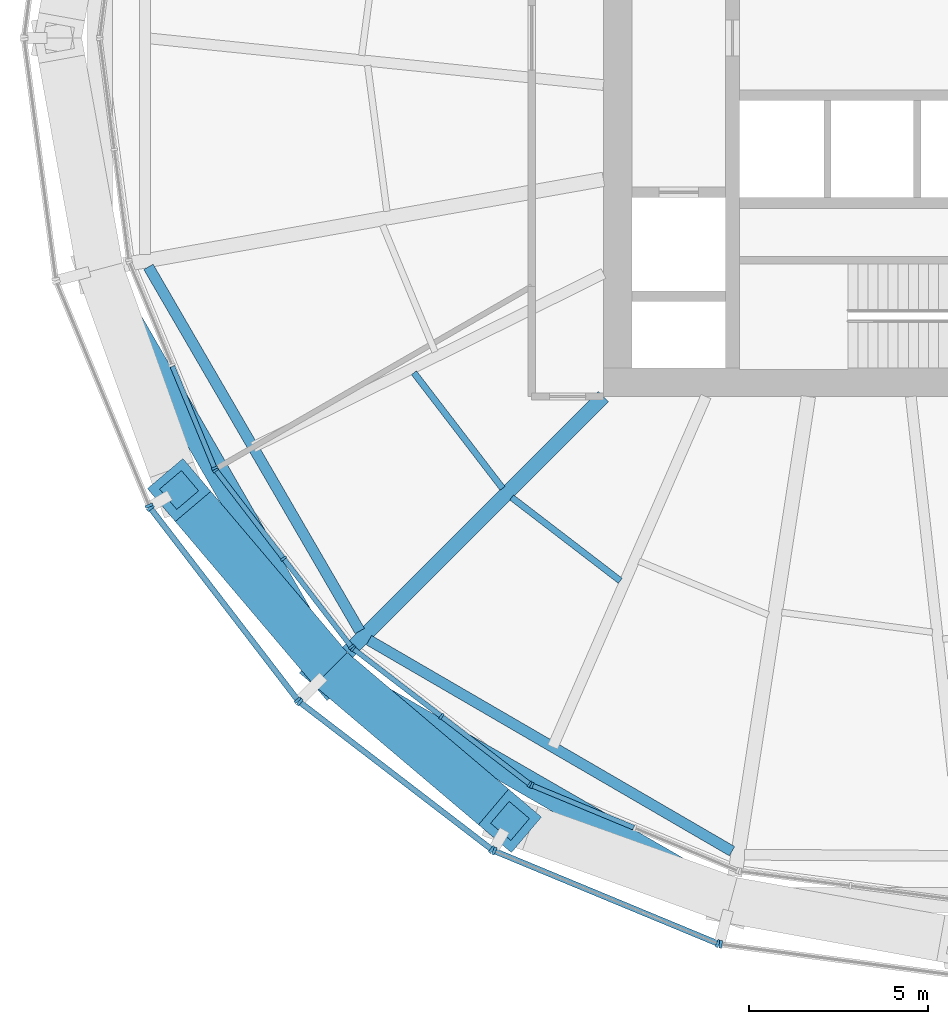
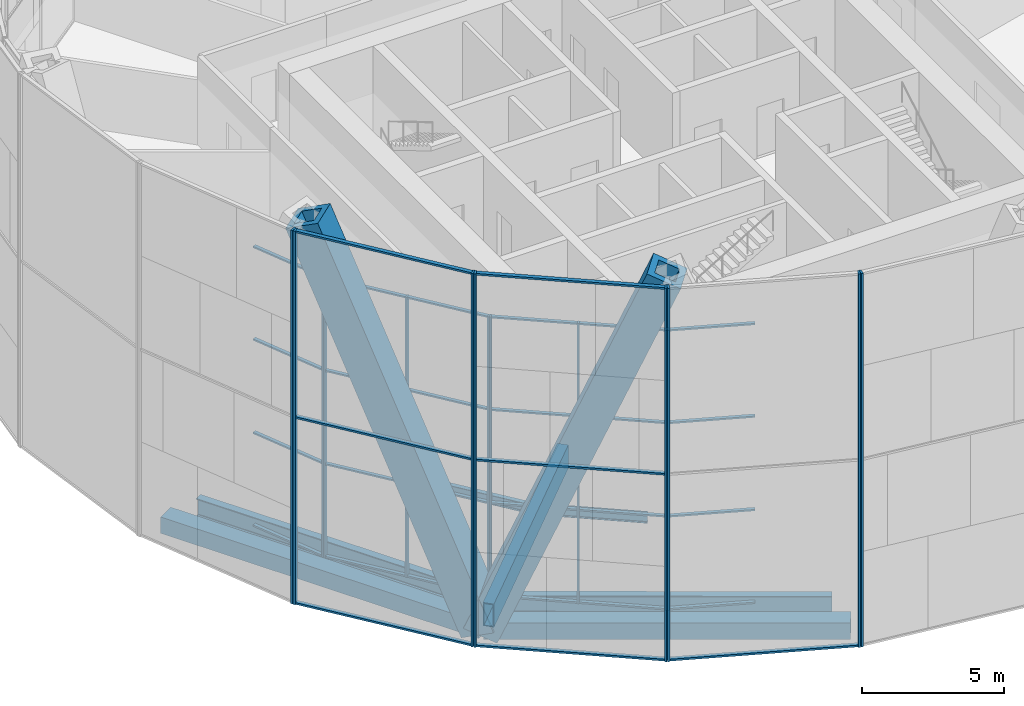
# One storey, part 1 of 26: 49 members, 7 beams, 9 elements without a shape of their own.
"""IFC4 building model written with IfcOpenShell, lengths in metres."""

from ifc_helpers import new_model, si_unit, direction, frame, origin, origin_2d, place, context, subcontext, project, spatial, rectangle, hollow_rectangle, i_section, extrude, material, material_profile, profile_set, type_object, element, aggregate, save


model = new_model("IFC4")

# Units and contexts
model_context = context("Model", 3, precision=1e-05, world=origin(), true_north=direction((0.0, 1.0)))
body_context = subcontext(model_context, "Body", "Model", "MODEL_VIEW")
ifc_project = project(units=[si_unit("LENGTHUNIT", "METRE"), si_unit("AREAUNIT", "SQUARE_METRE"), si_unit("VOLUMEUNIT", "CUBIC_METRE"), si_unit("PLANEANGLEUNIT", "RADIAN"), si_unit("MASSUNIT", "GRAM", prefix="KILO")], contexts=[model_context])

# Site, building, storey
site_placement = place(None, origin())
site = spatial("IfcSite", under=ifc_project, at=site_placement, CompositionType="ELEMENT")
building_placement = place(site_placement, origin())
building = spatial("IfcBuilding", under=site, at=building_placement, Name="Golbaran Civic Tower", CompositionType="ELEMENT")
storey_placement = place(building_placement, frame((0.0, 0.0, 69.0)))
storey = spatial("IfcBuildingStorey", under=building, at=storey_placement, Name="L16", CompositionType="ELEMENT", Elevation=69.0)

# Members
ifc_material_1 = material(Name="Steel S355", Category="steel")
ifc_material_profile_1 = material_profile(ifc_material_1, hollow_rectangle(XDim=1.300048828125, YDim=1.300048828125, WallThickness=0.25, at=origin_2d()), Name="BOX 1300x1300x250")
ifc_profile_set_1 = profile_set([ifc_material_profile_1], Name="Steel S355")
member_type_1 = type_object("IfcMemberType", Name="DIAGRID DIAGONAL BOX 1300x1300x250", PredefinedType="BRACE", material=ifc_profile_set_1)
for number, where, z_axis, x_axis, name in (
    (1, (-17.6005859375, -17.6005859375, -0.7099609375), (0.288939520875, -0.244835995768, 0.925510285439), (0.646478657143, 0.762932071589, 0.0), "Diagonal D03-07R L16-L20"),
    (2, (-17.6005859375, -17.6005859375, -0.7099609375), (-0.244835995768, 0.288939520875, 0.925510285439), (-0.762932071589, -0.646478657143, 0.0), "Diagonal D03-07L L16-L20"),
):
    element("IfcMember", number, at=place(storey_placement, frame(where, z_axis=z_axis, x_axis=x_axis)), inside=storey, type_object=member_type_1, Name=name, PredefinedType="BRACE", context=body_context, shape_type="SweptSolid", body=[
        extrude(hollow_rectangle(XDim=1.300048828125, YDim=1.300048828125, WallThickness=0.25, at=origin_2d()), origin(), (0.0, 0.0, 1.0), 17.287841796875),
    ])

# Beams
ifc_material_profile_2 = material_profile(ifc_material_1, hollow_rectangle(XDim=0.699951171875, YDim=0.699951171875, WallThickness=0.080078125, at=origin_2d()), Name="BOX 700x700x80")
ifc_profile_set_2 = profile_set([ifc_material_profile_2], Name="Steel S355")
beam_type_1 = type_object("IfcBeamType", Name="DIAGRID RING TIE BOX 700x700x80", PredefinedType="BEAM", material=ifc_profile_set_2)
for number, where, z_axis, x_axis, name in (
    (3, (-24.04296875, -6.4423828125, -0.7099609375), (0.500011131643, -0.866018976832, 0.0), (0.866018976832, 0.500011131643, 0.0), "Ring tie 195.00 L16"),
    (4, (-17.6005859375, -17.6005859375, -0.7099609375), (0.866018976832, -0.500011131643, 0.0), (0.500011131643, 0.866018976832, 0.0), "Ring tie 225.00 L16"),
):
    element("IfcBeam", number, at=place(storey_placement, frame(where, z_axis=z_axis, x_axis=x_axis)), inside=storey, type_object=beam_type_1, Name=name, PredefinedType="BEAM", context=body_context, shape_type="SweptSolid", body=[
        extrude(hollow_rectangle(XDim=0.699951171875, YDim=0.699951171875, WallThickness=0.080078125, at=origin_2d()), origin(), (0.0, 0.0, 1.0), 12.884521484375),
    ])
ifc_material_profile_3 = material_profile(ifc_material_1, i_section(OverallWidth=0.300048828125, OverallDepth=0.800048828125, WebThickness=0.017578125, FlangeThickness=0.032958984375, FilletRadius=0.030029296875, at=origin_2d()), Name="HEB 800")
ifc_profile_set_3 = profile_set([ifc_material_profile_3], Name="Steel S355")
beam_type_2 = type_object("IfcBeamType", Name="EDGE BEAM HEB 800", PredefinedType="BEAM", material=ifc_profile_set_3)
beam_1_placement = place(storey_placement, frame((-22.687744140625, -6.3837890625, -0.60009765625), z_axis=(0.50199656433, -0.864869614104, 0.0), x_axis=(0.864869614104, 0.50199656433, 0.0)))
element("IfcBeam", 5, at=beam_1_placement, inside=storey, type_object=beam_type_2, Name="Edge beam 195.00 L16", PredefinedType="BEAM", context=body_context, shape_type="SweptSolid", body=[
    extrude(i_section(OverallWidth=0.300048828125, OverallDepth=0.800048828125, WebThickness=0.017578125, FlangeThickness=0.032958984375, FilletRadius=0.030029296875, at=origin_2d()), origin(), (0.0, 0.0, 1.0), 11.74169921875),
])
beam_2_placement = place(storey_placement, frame((-16.538818359375, -16.79345703125, -0.60009765625), z_axis=(0.864537100855, -0.502569001476, 0.0), x_axis=(0.502569001476, 0.864537100855, 0.0)))
element("IfcBeam", 6, at=beam_2_placement, inside=storey, type_object=beam_type_2, Name="Edge beam 225.00 L16", PredefinedType="BEAM", context=body_context, shape_type="SweptSolid", body=[
    extrude(i_section(OverallWidth=0.300048828125, OverallDepth=0.800048828125, WebThickness=0.017578125, FlangeThickness=0.032958984375, FilletRadius=0.030029296875, at=origin_2d()), origin(), (0.0, 0.0, 1.0), 11.71044921875),
])
ifc_material_profile_4 = material_profile(ifc_material_1, i_section(OverallWidth=0.179931640625, OverallDepth=0.39990234375, WebThickness=0.008544921875, FlangeThickness=0.013427734375, FilletRadius=0.02099609375, at=origin_2d()), Name="IPE 400")
ifc_profile_set_4 = profile_set([ifc_material_profile_4], Name="Steel S355")
beam_type_3 = type_object("IfcBeamType", Name="FLOOR INFILL BEAM IPE 400", PredefinedType="BEAM", material=ifc_profile_set_4)
beam_3_placement = place(storey_placement, frame((-15.28564453125, -9.33642578125, -0.39990234375), z_axis=(0.608754558613, -0.793358612084, 0.0), x_axis=(0.793358612084, 0.608754558613, 0.0)))
element("IfcBeam", 7, at=beam_3_placement, inside=storey, type_object=beam_type_3, Name="Infill beam 217.50 L16", PredefinedType="BEAM", context=body_context, shape_type="SweptSolid", body=[
    extrude(i_section(OverallWidth=0.179931640625, OverallDepth=0.39990234375, WebThickness=0.008544921875, FlangeThickness=0.013427734375, FilletRadius=0.02099609375, at=origin_2d()), origin(), (0.0, 0.0, 1.0), 4.0615234375),
])
beam_4_placement = place(storey_placement, frame((-12.559326171875, -12.81396484375, -0.39990234375), z_axis=(0.793350991378, -0.608764490159, 0.0), x_axis=(0.608764490159, 0.793350991378, 0.0)))
element("IfcBeam", 8, at=beam_4_placement, inside=storey, type_object=beam_type_3, Name="Infill beam 232.50 L16", PredefinedType="BEAM", context=body_context, shape_type="SweptSolid", body=[
    extrude(i_section(OverallWidth=0.179931640625, OverallDepth=0.39990234375, WebThickness=0.008544921875, FlangeThickness=0.013427734375, FilletRadius=0.02099609375, at=origin_2d()), origin(), (0.0, 0.0, 1.0), 3.817138671875),
])

# Curtain wall, member
ifc_material_2 = material(Name="Aluminium and glass", Category="aluminium")
curtain_wall_type_1 = type_object("IfcCurtainWallType", Name="INNER SKIN CURTAIN WALL", PredefinedType="NOTDEFINED", material=ifc_material_2)
curtain_wall_1_placement = place(storey_placement, origin())
curtain_wall_1 = element("IfcCurtainWall", 9, at=curtain_wall_1_placement, inside=storey, type_object=curtain_wall_type_1, Name="Inner skin L16 facet 14 CW1", ObjectType="INNER SKIN", PredefinedType="USERDEFINED")
ifc_material_3 = material(Name="Aluminium", Category="aluminium")
ifc_material_profile_5 = material_profile(ifc_material_3, rectangle(XDim=0.179931640625, YDim=0.06494140625, at=origin_2d()), Name="INNER SKIN CURTAIN WALL MULLION")
ifc_profile_set_5 = profile_set([ifc_material_profile_5], Name="Aluminium")
member_type_2 = type_object("IfcMemberType", Name="INNER SKIN CURTAIN WALL MULLION", PredefinedType="MULLION", material=ifc_profile_set_5)
member_1_placement = place(storey_placement, frame((-20.843017578125, -11.99658203125, 0.0), z_axis=(0.0, 0.0, 1.0), x_axis=(0.923879532478, 0.382683432446, 0.0)))
member_1 = element("IfcMember", 10, at=member_1_placement, type_object=member_type_2, Name="CW1 mullion 3", PredefinedType="MULLION", context=body_context, shape_type="SweptSolid", body=[
    extrude(rectangle(XDim=0.179931640625, YDim=0.06494140625, at=origin_2d()), origin(), (0.0, 0.0, 1.0), 12.0),
])

# Curtain wall, members
curtain_wall_2_placement = place(storey_placement, origin())
curtain_wall_2 = element("IfcCurtainWall", 11, at=curtain_wall_2_placement, inside=storey, type_object=curtain_wall_type_1, Name="Inner skin L16 facet 15 CW1", ObjectType="INNER SKIN", PredefinedType="USERDEFINED")
member_2_placement = place(storey_placement, frame((-20.810791015625, -12.05224609375, 0.0), z_axis=(0.0, 0.0, 1.0), x_axis=(0.793353340323, 0.608761428967, 0.0)))
member_2 = element("IfcMember", 12, at=member_2_placement, type_object=member_type_2, Name="CW1 mullion 1", PredefinedType="MULLION", context=body_context, shape_type="SweptSolid", body=[
    extrude(rectangle(XDim=0.179931640625, YDim=0.06494140625, at=origin_2d()), origin(), (0.0, 0.0, 1.0), 12.0),
])
member_3_placement = place(storey_placement, frame((-18.919189453125, -14.517333984375, 0.0), z_axis=(0.0, 0.0, 1.0), x_axis=(0.793353340323, 0.608761428967, 0.0)))
member_3 = element("IfcMember", 13, at=member_3_placement, type_object=member_type_2, Name="CW1 mullion 2", PredefinedType="MULLION", context=body_context, shape_type="SweptSolid", body=[
    extrude(rectangle(XDim=0.179931640625, YDim=0.06494140625, at=origin_2d()), origin(), (0.0, 0.0, 1.0), 12.0),
])
member_4_placement = place(storey_placement, frame((-17.02783203125, -16.982177734375, 0.0), z_axis=(0.0, 0.0, 1.0), x_axis=(0.793353340323, 0.608761428967, 0.0)))
member_4 = element("IfcMember", 14, at=member_4_placement, type_object=member_type_2, Name="CW1 mullion 3", PredefinedType="MULLION", context=body_context, shape_type="SweptSolid", body=[
    extrude(rectangle(XDim=0.179931640625, YDim=0.06494140625, at=origin_2d()), origin(), (0.0, 0.0, 1.0), 12.0),
])

curtain_wall_3_placement = place(storey_placement, origin())
curtain_wall_3 = element("IfcCurtainWall", 15, at=curtain_wall_3_placement, inside=storey, type_object=curtain_wall_type_1, Name="Inner skin L16 facet 16 CW1", ObjectType="INNER SKIN", PredefinedType="USERDEFINED")
member_5_placement = place(storey_placement, frame((-16.982177734375, -17.02783203125, 0.0), z_axis=(0.0, 0.0, 1.0), x_axis=(0.608761428967, 0.793353340323, 0.0)))
member_5 = element("IfcMember", 16, at=member_5_placement, type_object=member_type_2, Name="CW1 mullion 1", PredefinedType="MULLION", context=body_context, shape_type="SweptSolid", body=[
    extrude(rectangle(XDim=0.179931640625, YDim=0.06494140625, at=origin_2d()), origin(), (0.0, 0.0, 1.0), 12.0),
])
member_6_placement = place(storey_placement, frame((-14.517333984375, -18.919189453125, 0.0), z_axis=(0.0, 0.0, 1.0), x_axis=(0.608761428967, 0.793353340323, 0.0)))
member_6 = element("IfcMember", 17, at=member_6_placement, type_object=member_type_2, Name="CW1 mullion 2", PredefinedType="MULLION", context=body_context, shape_type="SweptSolid", body=[
    extrude(rectangle(XDim=0.179931640625, YDim=0.06494140625, at=origin_2d()), origin(), (0.0, 0.0, 1.0), 12.0),
])
member_7_placement = place(storey_placement, frame((-12.05224609375, -20.810791015625, 0.0), z_axis=(0.0, 0.0, 1.0), x_axis=(0.608761428967, 0.793353340323, 0.0)))
member_7 = element("IfcMember", 18, at=member_7_placement, type_object=member_type_2, Name="CW1 mullion 3", PredefinedType="MULLION", context=body_context, shape_type="SweptSolid", body=[
    extrude(rectangle(XDim=0.179931640625, YDim=0.06494140625, at=origin_2d()), origin(), (0.0, 0.0, 1.0), 12.0),
])

# Curtain wall, member
curtain_wall_4_placement = place(storey_placement, origin())
curtain_wall_4 = element("IfcCurtainWall", 19, at=curtain_wall_4_placement, inside=storey, type_object=curtain_wall_type_1, Name="Inner skin L16 facet 17 CW1", ObjectType="INNER SKIN", PredefinedType="USERDEFINED")
member_8_placement = place(storey_placement, frame((-11.99658203125, -20.843017578125, 0.0), z_axis=(0.0, 0.0, 1.0), x_axis=(0.382683432446, 0.923879532478, 0.0)))
member_8 = element("IfcMember", 20, at=member_8_placement, type_object=member_type_2, Name="CW1 mullion 1", PredefinedType="MULLION", context=body_context, shape_type="SweptSolid", body=[
    extrude(rectangle(XDim=0.179931640625, YDim=0.06494140625, at=origin_2d()), origin(), (0.0, 0.0, 1.0), 12.0),
])

# Member
ifc_material_profile_6 = material_profile(ifc_material_3, rectangle(XDim=0.139892578125, YDim=0.06494140625, at=origin_2d()), Name="INNER SKIN CURTAIN WALL TRANSOM")
ifc_profile_set_6 = profile_set([ifc_material_profile_6], Name="Aluminium")
member_type_3 = type_object("IfcMemberType", Name="INNER SKIN CURTAIN WALL TRANSOM", PredefinedType="USERDEFINED", material=ifc_profile_set_6)
member_9_placement = place(storey_placement, frame((-22.01953125, -9.156005859375, 0.032470703125), z_axis=(0.382654214168, -0.923891634543, 0.0), x_axis=(0.923891634543, 0.382654214168, 0.0)))
member_9 = element("IfcMember", 21, at=member_9_placement, type_object=member_type_3, Name="CW1 transom 2.1", ObjectType="TRANSOM", PredefinedType="USERDEFINED", context=body_context, shape_type="SweptSolid", body=[
    extrude(rectangle(XDim=0.139892578125, YDim=0.06494140625, at=origin_2d()), origin(), (0.0, 0.0, 1.0), 3.0419921875),
])

member_10_placement = place(storey_placement, frame((-22.01953125, -9.156005859375, 4.0), z_axis=(0.382654214168, -0.923891634543, 0.0), x_axis=(0.923891634543, 0.382654214168, 0.0)))
member_10 = element("IfcMember", 22, at=member_10_placement, type_object=member_type_3, Name="CW1 transom 2.2", ObjectType="TRANSOM", PredefinedType="USERDEFINED", context=body_context, shape_type="SweptSolid", body=[
    extrude(rectangle(XDim=0.139892578125, YDim=0.06494140625, at=origin_2d()), origin(), (0.0, 0.0, 1.0), 3.0419921875),
])

member_11_placement = place(storey_placement, frame((-22.01953125, -9.156005859375, 8.0), z_axis=(0.382654214168, -0.923891634543, 0.0), x_axis=(0.923891634543, 0.382654214168, 0.0)))
member_11 = element("IfcMember", 23, at=member_11_placement, type_object=member_type_3, Name="CW1 transom 2.3", ObjectType="TRANSOM", PredefinedType="USERDEFINED", context=body_context, shape_type="SweptSolid", body=[
    extrude(rectangle(XDim=0.139892578125, YDim=0.06494140625, at=origin_2d()), origin(), (0.0, 0.0, 1.0), 3.0419921875),
])

member_12_placement = place(storey_placement, frame((-22.01953125, -9.156005859375, 11.967529296875), z_axis=(0.382654214168, -0.923891634543, 0.0), x_axis=(0.923891634543, 0.382654214168, 0.0)))
member_12 = element("IfcMember", 24, at=member_12_placement, type_object=member_type_3, Name="CW1 transom 2.4", ObjectType="TRANSOM", PredefinedType="USERDEFINED", context=body_context, shape_type="SweptSolid", body=[
    extrude(rectangle(XDim=0.139892578125, YDim=0.06494140625, at=origin_2d()), origin(), (0.0, 0.0, 1.0), 3.0419921875),
])

aggregate(curtain_wall_1, [member_1, member_9, member_10, member_11, member_12])

member_13_placement = place(storey_placement, frame((-20.791015625, -12.078125, 0.032470703125), z_axis=(0.608810562982, -0.79331563605, 0.0), x_axis=(0.79331563605, 0.608810562982, 0.0)))
member_13 = element("IfcMember", 25, at=member_13_placement, type_object=member_type_3, Name="CW1 transom 1.1", ObjectType="TRANSOM", PredefinedType="USERDEFINED", context=body_context, shape_type="SweptSolid", body=[
    extrude(rectangle(XDim=0.139892578125, YDim=0.06494140625, at=origin_2d()), origin(), (0.0, 0.0, 1.0), 3.0419921875),
])

member_14_placement = place(storey_placement, frame((-20.791015625, -12.078125, 4.0), z_axis=(0.608810562982, -0.79331563605, 0.0), x_axis=(0.79331563605, 0.608810562982, 0.0)))
member_14 = element("IfcMember", 26, at=member_14_placement, type_object=member_type_3, Name="CW1 transom 1.2", ObjectType="TRANSOM", PredefinedType="USERDEFINED", context=body_context, shape_type="SweptSolid", body=[
    extrude(rectangle(XDim=0.139892578125, YDim=0.06494140625, at=origin_2d()), origin(), (0.0, 0.0, 1.0), 3.0419921875),
])

member_15_placement = place(storey_placement, frame((-20.791015625, -12.078125, 8.0), z_axis=(0.608810562982, -0.79331563605, 0.0), x_axis=(0.79331563605, 0.608810562982, 0.0)))
member_15 = element("IfcMember", 27, at=member_15_placement, type_object=member_type_3, Name="CW1 transom 1.3", ObjectType="TRANSOM", PredefinedType="USERDEFINED", context=body_context, shape_type="SweptSolid", body=[
    extrude(rectangle(XDim=0.139892578125, YDim=0.06494140625, at=origin_2d()), origin(), (0.0, 0.0, 1.0), 3.0419921875),
])

member_16_placement = place(storey_placement, frame((-20.791015625, -12.078125, 11.967529296875), z_axis=(0.608810562982, -0.79331563605, 0.0), x_axis=(0.79331563605, 0.608810562982, 0.0)))
member_16 = element("IfcMember", 28, at=member_16_placement, type_object=member_type_3, Name="CW1 transom 1.4", ObjectType="TRANSOM", PredefinedType="USERDEFINED", context=body_context, shape_type="SweptSolid", body=[
    extrude(rectangle(XDim=0.139892578125, YDim=0.06494140625, at=origin_2d()), origin(), (0.0, 0.0, 1.0), 3.0419921875),
])

member_17_placement = place(storey_placement, frame((-18.8994140625, -14.54296875, 0.032470703125), z_axis=(0.608721291082, -0.793384137592, 0.0), x_axis=(0.793384137592, 0.608721291082, 0.0)))
member_17 = element("IfcMember", 29, at=member_17_placement, type_object=member_type_3, Name="CW1 transom 2.1", ObjectType="TRANSOM", PredefinedType="USERDEFINED", context=body_context, shape_type="SweptSolid", body=[
    extrude(rectangle(XDim=0.139892578125, YDim=0.06494140625, at=origin_2d()), origin(), (0.0, 0.0, 1.0), 3.042236328125),
])

member_18_placement = place(storey_placement, frame((-18.8994140625, -14.54296875, 4.0), z_axis=(0.608721291082, -0.793384137592, 0.0), x_axis=(0.793384137592, 0.608721291082, 0.0)))
member_18 = element("IfcMember", 30, at=member_18_placement, type_object=member_type_3, Name="CW1 transom 2.2", ObjectType="TRANSOM", PredefinedType="USERDEFINED", context=body_context, shape_type="SweptSolid", body=[
    extrude(rectangle(XDim=0.139892578125, YDim=0.06494140625, at=origin_2d()), origin(), (0.0, 0.0, 1.0), 3.042236328125),
])

member_19_placement = place(storey_placement, frame((-18.8994140625, -14.54296875, 8.0), z_axis=(0.608721291082, -0.793384137592, 0.0), x_axis=(0.793384137592, 0.608721291082, 0.0)))
member_19 = element("IfcMember", 31, at=member_19_placement, type_object=member_type_3, Name="CW1 transom 2.3", ObjectType="TRANSOM", PredefinedType="USERDEFINED", context=body_context, shape_type="SweptSolid", body=[
    extrude(rectangle(XDim=0.139892578125, YDim=0.06494140625, at=origin_2d()), origin(), (0.0, 0.0, 1.0), 3.042236328125),
])

member_20_placement = place(storey_placement, frame((-18.8994140625, -14.54296875, 11.967529296875), z_axis=(0.608721291082, -0.793384137592, 0.0), x_axis=(0.793384137592, 0.608721291082, 0.0)))
member_20 = element("IfcMember", 32, at=member_20_placement, type_object=member_type_3, Name="CW1 transom 2.4", ObjectType="TRANSOM", PredefinedType="USERDEFINED", context=body_context, shape_type="SweptSolid", body=[
    extrude(rectangle(XDim=0.139892578125, YDim=0.06494140625, at=origin_2d()), origin(), (0.0, 0.0, 1.0), 3.042236328125),
])

aggregate(curtain_wall_2, [member_2, member_3, member_4, member_13, member_14, member_15, member_16, member_17, member_18, member_19, member_20])

member_21_placement = place(storey_placement, frame((-16.95654296875, -17.047607421875, 0.032470703125), z_axis=(0.793384137592, -0.608721291082, 0.0), x_axis=(0.608721291082, 0.793384137592, 0.0)))
member_21 = element("IfcMember", 33, at=member_21_placement, type_object=member_type_3, Name="CW1 transom 1.1", ObjectType="TRANSOM", PredefinedType="USERDEFINED", context=body_context, shape_type="SweptSolid", body=[
    extrude(rectangle(XDim=0.139892578125, YDim=0.06494140625, at=origin_2d()), origin(), (0.0, 0.0, 1.0), 3.042236328125),
])

member_22_placement = place(storey_placement, frame((-16.95654296875, -17.047607421875, 4.0), z_axis=(0.793384137592, -0.608721291082, 0.0), x_axis=(0.608721291082, 0.793384137592, 0.0)))
member_22 = element("IfcMember", 34, at=member_22_placement, type_object=member_type_3, Name="CW1 transom 1.2", ObjectType="TRANSOM", PredefinedType="USERDEFINED", context=body_context, shape_type="SweptSolid", body=[
    extrude(rectangle(XDim=0.139892578125, YDim=0.06494140625, at=origin_2d()), origin(), (0.0, 0.0, 1.0), 3.042236328125),
])

member_23_placement = place(storey_placement, frame((-16.95654296875, -17.047607421875, 8.0), z_axis=(0.793384137592, -0.608721291082, 0.0), x_axis=(0.608721291082, 0.793384137592, 0.0)))
member_23 = element("IfcMember", 35, at=member_23_placement, type_object=member_type_3, Name="CW1 transom 1.3", ObjectType="TRANSOM", PredefinedType="USERDEFINED", context=body_context, shape_type="SweptSolid", body=[
    extrude(rectangle(XDim=0.139892578125, YDim=0.06494140625, at=origin_2d()), origin(), (0.0, 0.0, 1.0), 3.042236328125),
])

member_24_placement = place(storey_placement, frame((-16.95654296875, -17.047607421875, 11.967529296875), z_axis=(0.793384137592, -0.608721291082, 0.0), x_axis=(0.608721291082, 0.793384137592, 0.0)))
member_24 = element("IfcMember", 36, at=member_24_placement, type_object=member_type_3, Name="CW1 transom 1.4", ObjectType="TRANSOM", PredefinedType="USERDEFINED", context=body_context, shape_type="SweptSolid", body=[
    extrude(rectangle(XDim=0.139892578125, YDim=0.06494140625, at=origin_2d()), origin(), (0.0, 0.0, 1.0), 3.042236328125),
])

member_25_placement = place(storey_placement, frame((-14.491455078125, -18.93896484375, 0.032470703125), z_axis=(0.79331563605, -0.608810562982, 0.0), x_axis=(0.608810562982, 0.79331563605, 0.0)))
member_25 = element("IfcMember", 37, at=member_25_placement, type_object=member_type_3, Name="CW1 transom 2.1", ObjectType="TRANSOM", PredefinedType="USERDEFINED", context=body_context, shape_type="SweptSolid", body=[
    extrude(rectangle(XDim=0.139892578125, YDim=0.06494140625, at=origin_2d()), origin(), (0.0, 0.0, 1.0), 3.0419921875),
])

member_26_placement = place(storey_placement, frame((-14.491455078125, -18.93896484375, 4.0), z_axis=(0.79331563605, -0.608810562982, 0.0), x_axis=(0.608810562982, 0.79331563605, 0.0)))
member_26 = element("IfcMember", 38, at=member_26_placement, type_object=member_type_3, Name="CW1 transom 2.2", ObjectType="TRANSOM", PredefinedType="USERDEFINED", context=body_context, shape_type="SweptSolid", body=[
    extrude(rectangle(XDim=0.139892578125, YDim=0.06494140625, at=origin_2d()), origin(), (0.0, 0.0, 1.0), 3.0419921875),
])

member_27_placement = place(storey_placement, frame((-14.491455078125, -18.93896484375, 8.0), z_axis=(0.79331563605, -0.608810562982, 0.0), x_axis=(0.608810562982, 0.79331563605, 0.0)))
member_27 = element("IfcMember", 39, at=member_27_placement, type_object=member_type_3, Name="CW1 transom 2.3", ObjectType="TRANSOM", PredefinedType="USERDEFINED", context=body_context, shape_type="SweptSolid", body=[
    extrude(rectangle(XDim=0.139892578125, YDim=0.06494140625, at=origin_2d()), origin(), (0.0, 0.0, 1.0), 3.0419921875),
])

member_28_placement = place(storey_placement, frame((-14.491455078125, -18.93896484375, 11.967529296875), z_axis=(0.79331563605, -0.608810562982, 0.0), x_axis=(0.608810562982, 0.79331563605, 0.0)))
member_28 = element("IfcMember", 40, at=member_28_placement, type_object=member_type_3, Name="CW1 transom 2.4", ObjectType="TRANSOM", PredefinedType="USERDEFINED", context=body_context, shape_type="SweptSolid", body=[
    extrude(rectangle(XDim=0.139892578125, YDim=0.06494140625, at=origin_2d()), origin(), (0.0, 0.0, 1.0), 3.0419921875),
])

aggregate(curtain_wall_3, [member_5, member_6, member_7, member_21, member_22, member_23, member_24, member_25, member_26, member_27, member_28])

member_29_placement = place(storey_placement, frame((-11.966552734375, -20.85546875, 0.032470703125), z_axis=(0.923891634543, -0.382654214168, 0.0), x_axis=(0.382654214168, 0.923891634543, 0.0)))
member_29 = element("IfcMember", 41, at=member_29_placement, type_object=member_type_3, Name="CW1 transom 1.1", ObjectType="TRANSOM", PredefinedType="USERDEFINED", context=body_context, shape_type="SweptSolid", body=[
    extrude(rectangle(XDim=0.139892578125, YDim=0.06494140625, at=origin_2d()), origin(), (0.0, 0.0, 1.0), 3.0419921875),
])

member_30_placement = place(storey_placement, frame((-11.966552734375, -20.85546875, 4.0), z_axis=(0.923891634543, -0.382654214168, 0.0), x_axis=(0.382654214168, 0.923891634543, 0.0)))
member_30 = element("IfcMember", 42, at=member_30_placement, type_object=member_type_3, Name="CW1 transom 1.2", ObjectType="TRANSOM", PredefinedType="USERDEFINED", context=body_context, shape_type="SweptSolid", body=[
    extrude(rectangle(XDim=0.139892578125, YDim=0.06494140625, at=origin_2d()), origin(), (0.0, 0.0, 1.0), 3.0419921875),
])

member_31_placement = place(storey_placement, frame((-11.966552734375, -20.85546875, 8.0), z_axis=(0.923891634543, -0.382654214168, 0.0), x_axis=(0.382654214168, 0.923891634543, 0.0)))
member_31 = element("IfcMember", 43, at=member_31_placement, type_object=member_type_3, Name="CW1 transom 1.3", ObjectType="TRANSOM", PredefinedType="USERDEFINED", context=body_context, shape_type="SweptSolid", body=[
    extrude(rectangle(XDim=0.139892578125, YDim=0.06494140625, at=origin_2d()), origin(), (0.0, 0.0, 1.0), 3.0419921875),
])

member_32_placement = place(storey_placement, frame((-11.966552734375, -20.85546875, 11.967529296875), z_axis=(0.923891634543, -0.382654214168, 0.0), x_axis=(0.382654214168, 0.923891634543, 0.0)))
member_32 = element("IfcMember", 44, at=member_32_placement, type_object=member_type_3, Name="CW1 transom 1.4", ObjectType="TRANSOM", PredefinedType="USERDEFINED", context=body_context, shape_type="SweptSolid", body=[
    extrude(rectangle(XDim=0.139892578125, YDim=0.06494140625, at=origin_2d()), origin(), (0.0, 0.0, 1.0), 3.0419921875),
])

aggregate(curtain_wall_4, [member_8, member_29, member_30, member_31, member_32])

# Curtain wall, member
curtain_wall_type_2 = type_object("IfcCurtainWallType", Name="OUTER SKIN TERRACOTTA SCREEN", PredefinedType="NOTDEFINED", material=ifc_material_2)
curtain_wall_5_placement = place(storey_placement, origin())
curtain_wall_5 = element("IfcCurtainWall", 45, at=curtain_wall_5_placement, inside=storey, type_object=curtain_wall_type_2, Name="Outer skin L16 facet 14 CW3", ObjectType="OUTER SKIN", PredefinedType="USERDEFINED")
ifc_material_profile_7 = material_profile(ifc_material_3, rectangle(XDim=0.219970703125, YDim=0.080078125, at=origin_2d()), Name="OUTER SKIN TERRACOTTA SCREEN MULLION")
ifc_profile_set_7 = profile_set([ifc_material_profile_7], Name="Aluminium")
member_type_4 = type_object("IfcMemberType", Name="OUTER SKIN TERRACOTTA SCREEN MULLION", PredefinedType="MULLION", material=ifc_profile_set_7)
member_33_placement = place(storey_placement, frame((-22.67138671875, -13.04345703125, -0.7099609375), z_axis=(0.0, 0.0, 1.0), x_axis=(0.923879532465, 0.382683432478, 0.0)))
member_33 = element("IfcMember", 46, at=member_33_placement, type_object=member_type_4, Name="CW3 mullion 2", PredefinedType="MULLION", context=body_context, shape_type="SweptSolid", body=[
    extrude(rectangle(XDim=0.219970703125, YDim=0.080078125, at=origin_2d()), origin(), (0.0, 0.0, 1.0), 16.0),
])
aggregate(curtain_wall_5, [member_33])

# Curtain wall, members
curtain_wall_6_placement = place(storey_placement, origin())
curtain_wall_6 = element("IfcCurtainWall", 47, at=curtain_wall_6_placement, inside=storey, type_object=curtain_wall_type_2, Name="Outer skin L16 facet 15 CW3", ObjectType="OUTER SKIN", PredefinedType="USERDEFINED")
member_34_placement = place(storey_placement, frame((-22.6318359375, -13.1123046875, -0.7099609375), z_axis=(0.0, 0.0, 1.0), x_axis=(0.793353340366, 0.608761428912, 0.0)))
member_34 = element("IfcMember", 48, at=member_34_placement, type_object=member_type_4, Name="CW3 mullion 1", PredefinedType="MULLION", context=body_context, shape_type="SweptSolid", body=[
    extrude(rectangle(XDim=0.219970703125, YDim=0.080078125, at=origin_2d()), origin(), (0.0, 0.0, 1.0), 16.0),
])
member_35_placement = place(storey_placement, frame((-18.52294921875, -18.466796875, -0.7099609375), z_axis=(0.0, 0.0, 1.0), x_axis=(0.793353340366, 0.608761428912, 0.0)))
member_35 = element("IfcMember", 49, at=member_35_placement, type_object=member_type_4, Name="CW3 mullion 2", PredefinedType="MULLION", context=body_context, shape_type="SweptSolid", body=[
    extrude(rectangle(XDim=0.219970703125, YDim=0.080078125, at=origin_2d()), origin(), (0.0, 0.0, 1.0), 16.0),
])

curtain_wall_7_placement = place(storey_placement, origin())
curtain_wall_7 = element("IfcCurtainWall", 50, at=curtain_wall_7_placement, inside=storey, type_object=curtain_wall_type_2, Name="Outer skin L16 facet 16 CW3", ObjectType="OUTER SKIN", PredefinedType="USERDEFINED")
member_36_placement = place(storey_placement, frame((-18.466796875, -18.52294921875, -0.7099609375), z_axis=(0.0, 0.0, 1.0), x_axis=(0.608761428912, 0.793353340366, 0.0)))
member_36 = element("IfcMember", 51, at=member_36_placement, type_object=member_type_4, Name="CW3 mullion 1", PredefinedType="MULLION", context=body_context, shape_type="SweptSolid", body=[
    extrude(rectangle(XDim=0.219970703125, YDim=0.080078125, at=origin_2d()), origin(), (0.0, 0.0, 1.0), 16.0),
])
member_37_placement = place(storey_placement, frame((-13.1123046875, -22.6318359375, -0.7099609375), z_axis=(0.0, 0.0, 1.0), x_axis=(0.608761428912, 0.793353340366, 0.0)))
member_37 = element("IfcMember", 52, at=member_37_placement, type_object=member_type_4, Name="CW3 mullion 2", PredefinedType="MULLION", context=body_context, shape_type="SweptSolid", body=[
    extrude(rectangle(XDim=0.219970703125, YDim=0.080078125, at=origin_2d()), origin(), (0.0, 0.0, 1.0), 16.0),
])

curtain_wall_8_placement = place(storey_placement, origin())
curtain_wall_8 = element("IfcCurtainWall", 53, at=curtain_wall_8_placement, inside=storey, type_object=curtain_wall_type_2, Name="Outer skin L16 facet 17 CW3", ObjectType="OUTER SKIN", PredefinedType="USERDEFINED")
member_38_placement = place(storey_placement, frame((-13.04345703125, -22.67138671875, -0.7099609375), z_axis=(0.0, 0.0, 1.0), x_axis=(0.382683432478, 0.923879532465, 0.0)))
member_38 = element("IfcMember", 54, at=member_38_placement, type_object=member_type_4, Name="CW3 mullion 1", PredefinedType="MULLION", context=body_context, shape_type="SweptSolid", body=[
    extrude(rectangle(XDim=0.219970703125, YDim=0.080078125, at=origin_2d()), origin(), (0.0, 0.0, 1.0), 16.0),
])
member_39_placement = place(storey_placement, frame((-6.807861328125, -25.25439453125, -0.7099609375), z_axis=(0.0, 0.0, 1.0), x_axis=(0.382683432478, 0.923879532465, 0.0)))
member_39 = element("IfcMember", 55, at=member_39_placement, type_object=member_type_4, Name="CW3 mullion 2", PredefinedType="MULLION", context=body_context, shape_type="SweptSolid", body=[
    extrude(rectangle(XDim=0.219970703125, YDim=0.080078125, at=origin_2d()), origin(), (0.0, 0.0, 1.0), 16.0),
])

# Curtain wall, member
curtain_wall_9_placement = place(storey_placement, origin())
curtain_wall_9 = element("IfcCurtainWall", 56, at=curtain_wall_9_placement, inside=storey, type_object=curtain_wall_type_2, Name="Outer skin L16 facet 18 CW3", ObjectType="OUTER SKIN", PredefinedType="USERDEFINED")
member_40_placement = place(storey_placement, frame((-6.731201171875, -25.27490234375, -0.7099609375), z_axis=(0.0, 0.0, 1.0), x_axis=(0.130526192151, 0.991444861383, 0.0)))
member_40 = element("IfcMember", 57, at=member_40_placement, type_object=member_type_4, Name="CW3 mullion 1", PredefinedType="MULLION", context=body_context, shape_type="SweptSolid", body=[
    extrude(rectangle(XDim=0.219970703125, YDim=0.080078125, at=origin_2d()), origin(), (0.0, 0.0, 1.0), 16.0),
])
aggregate(curtain_wall_9, [member_40])

# Member
ifc_material_profile_8 = material_profile(ifc_material_3, rectangle(XDim=0.159912109375, YDim=0.080078125, at=origin_2d()), Name="OUTER SKIN TERRACOTTA SCREEN TRANSOM")
ifc_profile_set_8 = profile_set([ifc_material_profile_8], Name="Aluminium")
member_type_5 = type_object("IfcMemberType", Name="OUTER SKIN TERRACOTTA SCREEN TRANSOM", PredefinedType="USERDEFINED", material=ifc_profile_set_8)
member_41_placement = place(storey_placement, frame((-22.607421875, -13.14404296875, -0.669921875), z_axis=(0.608772707765, -0.79334468567, 0.0), x_axis=(0.79334468567, 0.608772707765, 0.0)))
member_41 = element("IfcMember", 58, at=member_41_placement, type_object=member_type_5, Name="CW3 transom 1.1", ObjectType="TRANSOM", PredefinedType="USERDEFINED", context=body_context, shape_type="SweptSolid", body=[
    extrude(rectangle(XDim=0.159912109375, YDim=0.080078125, at=origin_2d()), origin(), (0.0, 0.0, 1.0), 6.669189453125),
])

member_42_placement = place(storey_placement, frame((-22.607421875, -13.14404296875, 7.2900390625), z_axis=(0.608772707765, -0.79334468567, 0.0), x_axis=(0.79334468567, 0.608772707765, 0.0)))
member_42 = element("IfcMember", 59, at=member_42_placement, type_object=member_type_5, Name="CW3 transom 1.2", ObjectType="TRANSOM", PredefinedType="USERDEFINED", context=body_context, shape_type="SweptSolid", body=[
    extrude(rectangle(XDim=0.159912109375, YDim=0.080078125, at=origin_2d()), origin(), (0.0, 0.0, 1.0), 6.669189453125),
])

member_43_placement = place(storey_placement, frame((-22.607421875, -13.14404296875, 15.25), z_axis=(0.608772707765, -0.79334468567, 0.0), x_axis=(0.79334468567, 0.608772707765, 0.0)))
member_43 = element("IfcMember", 60, at=member_43_placement, type_object=member_type_5, Name="CW3 transom 1.3", ObjectType="TRANSOM", PredefinedType="USERDEFINED", context=body_context, shape_type="SweptSolid", body=[
    extrude(rectangle(XDim=0.159912109375, YDim=0.080078125, at=origin_2d()), origin(), (0.0, 0.0, 1.0), 6.669189453125),
])

aggregate(curtain_wall_6, [member_34, member_35, member_41, member_42, member_43])

member_44_placement = place(storey_placement, frame((-18.43505859375, -18.54736328125, -0.669921875), z_axis=(0.79334468567, -0.608772707765, 0.0), x_axis=(0.608772707765, 0.79334468567, 0.0)))
member_44 = element("IfcMember", 61, at=member_44_placement, type_object=member_type_5, Name="CW3 transom 1.1", ObjectType="TRANSOM", PredefinedType="USERDEFINED", context=body_context, shape_type="SweptSolid", body=[
    extrude(rectangle(XDim=0.159912109375, YDim=0.080078125, at=origin_2d()), origin(), (0.0, 0.0, 1.0), 6.669189453125),
])

member_45_placement = place(storey_placement, frame((-18.43505859375, -18.54736328125, 7.2900390625), z_axis=(0.79334468567, -0.608772707765, 0.0), x_axis=(0.608772707765, 0.79334468567, 0.0)))
member_45 = element("IfcMember", 62, at=member_45_placement, type_object=member_type_5, Name="CW3 transom 1.2", ObjectType="TRANSOM", PredefinedType="USERDEFINED", context=body_context, shape_type="SweptSolid", body=[
    extrude(rectangle(XDim=0.159912109375, YDim=0.080078125, at=origin_2d()), origin(), (0.0, 0.0, 1.0), 6.669189453125),
])

member_46_placement = place(storey_placement, frame((-18.43505859375, -18.54736328125, 15.25), z_axis=(0.79334468567, -0.608772707765, 0.0), x_axis=(0.608772707765, 0.79334468567, 0.0)))
member_46 = element("IfcMember", 63, at=member_46_placement, type_object=member_type_5, Name="CW3 transom 1.3", ObjectType="TRANSOM", PredefinedType="USERDEFINED", context=body_context, shape_type="SweptSolid", body=[
    extrude(rectangle(XDim=0.159912109375, YDim=0.080078125, at=origin_2d()), origin(), (0.0, 0.0, 1.0), 6.669189453125),
])

aggregate(curtain_wall_7, [member_36, member_37, member_44, member_45, member_46])

member_47_placement = place(storey_placement, frame((-13.006591796875, -22.686767578125, -0.669921875), z_axis=(0.92387852154, -0.382685873056, 0.0), x_axis=(0.382685873056, 0.92387852154, 0.0)))
member_47 = element("IfcMember", 64, at=member_47_placement, type_object=member_type_5, Name="CW3 transom 1.1", ObjectType="TRANSOM", PredefinedType="USERDEFINED", context=body_context, shape_type="SweptSolid", body=[
    extrude(rectangle(XDim=0.159912109375, YDim=0.080078125, at=origin_2d()), origin(), (0.0, 0.0, 1.0), 6.669189453125),
])

aggregate(curtain_wall_8, [member_38, member_39, member_47])

# Beam
ifc_material_profile_9 = material_profile(ifc_material_1, hollow_rectangle(XDim=0.39990234375, YDim=1.0, WallThickness=0.0400390625, at=origin_2d()), Name="BOX 1000x400x40")
ifc_profile_set_9 = profile_set([ifc_material_profile_9], Name="Steel S355")
beam_type_4 = type_object("IfcBeamType", Name="RADIAL FLOOR BEAM BOX 1000x400x40", PredefinedType="BEAM", material=ifc_profile_set_9)
beam_5_placement = place(storey_placement, frame((-10.0, -10.0, -0.7099609375), z_axis=(-0.707106781187, -0.707106781187, 0.0), x_axis=(0.707106781187, -0.707106781187, 0.0)))
element("IfcBeam", 65, at=beam_5_placement, inside=storey, type_object=beam_type_4, Name="Radial beam 225.00 L16", PredefinedType="BEAM", context=body_context, shape_type="SweptSolid", body=[
    extrude(hollow_rectangle(XDim=0.39990234375, YDim=1.0, WallThickness=0.0400390625, at=origin_2d()), origin(), (0.0, 0.0, 1.0), 10.085205078125),
])

save(model, "model.ifc")
